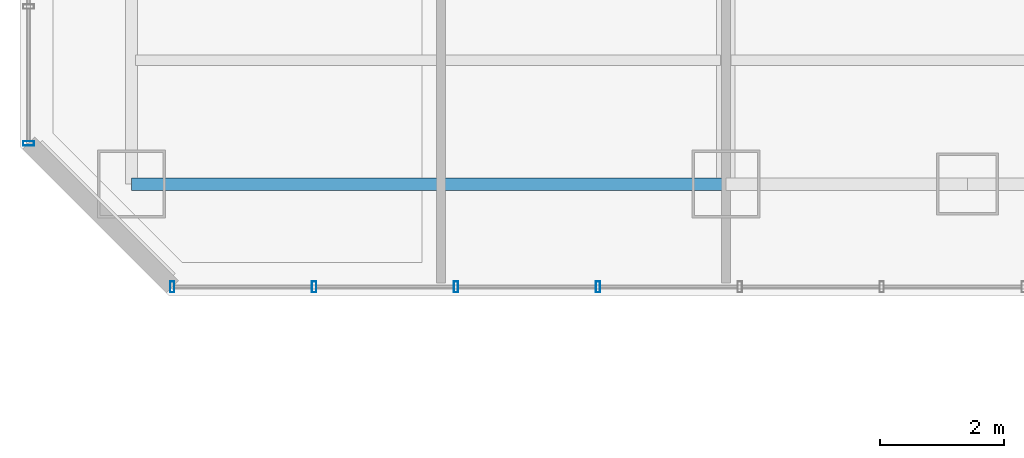
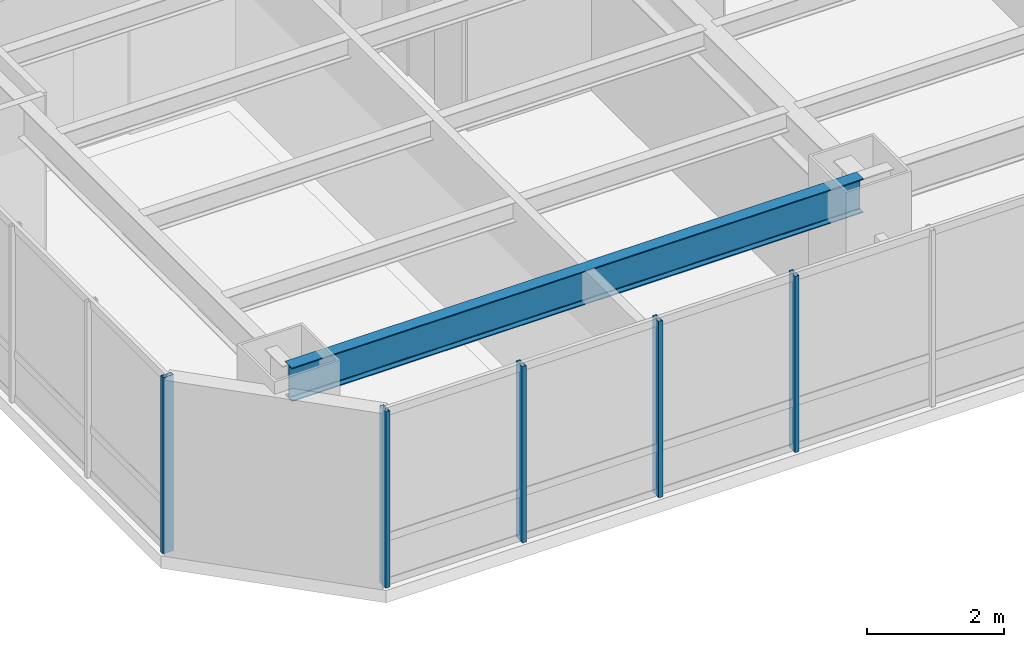
# One storey, part 2 of 38: 5 members, 1 beam, 2 elements without a shape of their own.
"""IFC4 building model written with IfcOpenShell, lengths in metres."""

from ifc_helpers import new_model, si_unit, direction, frame, origin, origin_2d, place, context, subcontext, project, spatial, hollow_rectangle, i_section, extrude, material, layer, layer_set, material_profile, profile_set, type_object, element, aggregate, save


model = new_model("IFC4")

# Units and contexts
model_context = context("Model", 3, precision=1e-05, world=origin(), true_north=direction((0.0, 1.0)))
body_context = subcontext(model_context, "Body", "Model", "MODEL_VIEW")
ifc_project = project(units=[si_unit("LENGTHUNIT", "METRE"), si_unit("AREAUNIT", "SQUARE_METRE"), si_unit("VOLUMEUNIT", "CUBIC_METRE"), si_unit("PLANEANGLEUNIT", "RADIAN"), si_unit("MASSUNIT", "GRAM", prefix="KILO")], contexts=[model_context])

# Site, building, storey
site_placement = place(None, origin())
site = spatial("IfcSite", under=ifc_project, at=site_placement, CompositionType="ELEMENT")
building_placement = place(site_placement, origin())
building = spatial("IfcBuilding", under=site, at=building_placement, Name="Hatsunagi Terrace Concourse", CompositionType="ELEMENT")
storey_placement = place(building_placement, frame((0.0, 0.0, 63.39990234375)))
storey = spatial("IfcBuildingStorey", under=building, at=storey_placement, Name="L16", CompositionType="ELEMENT", Elevation=63.39990234375)

# Curtain wall, members
ifc_material_1 = material(Name="Anodised Aluminium Alloy 6063-T5", Category="aluminium")
ifc_layer = layer(ifc_material_1, 0.199951171875)
ifc_layer_set = layer_set([ifc_layer], Name="HotelFacade_CW02")
curtain_wall_type = type_object("IfcCurtainWallType", Name="HotelFacade_CW02", PredefinedType="NOTDEFINED", material=ifc_layer_set)
curtain_wall_1_placement = place(storey_placement, origin())
curtain_wall_1 = element("IfcCurtainWall", 1, at=curtain_wall_1_placement, inside=storey, type_object=curtain_wall_type, Name="Unitised Curtain Wall CW-02 CW-L16-07", PredefinedType="NOTDEFINED")
ifc_material_2 = material(Name="Anodised Aluminium Alloy 6063-T5", Category="aluminium")
ifc_material_profile_1 = material_profile(ifc_material_2, hollow_rectangle(XDim=0.070068359375, YDim=0.179931640625, WallThickness=0.00390625, at=origin_2d()), Name="ALU-MUL-180x70x4")
ifc_profile_set_1 = profile_set([ifc_material_profile_1], Name="Anodised Aluminium Alloy 6063-T5")
member_type = type_object("IfcMemberType", Name="CurtainWallMullion_180x70", PredefinedType="MULLION", material=ifc_profile_set_1)
member_1_placement = place(storey_placement, frame((9.3330078125, 23.5400390625, 0.0), z_axis=(0.0, 0.0, 1.0), x_axis=(-1.0, 0.0, 0.0)))
member_1 = element("IfcMember", 2, at=member_1_placement, type_object=member_type, Name="Curtain Wall Mullion MUL-02", PredefinedType="MULLION", context=body_context, shape_type="SweptSolid", body=[
    extrude(hollow_rectangle(XDim=0.070068359375, YDim=0.179931640625, WallThickness=0.00390625, at=origin_2d()), origin(), (0.0, 0.0, 1.0), 3.130126953125),
])
member_2_placement = place(storey_placement, frame((7.041015625, 23.5400390625, 0.0), z_axis=(0.0, 0.0, 1.0), x_axis=(-1.0, 0.0, 0.0)))
member_2 = element("IfcMember", 3, at=member_2_placement, type_object=member_type, Name="Curtain Wall Mullion MUL-02", PredefinedType="MULLION", context=body_context, shape_type="SweptSolid", body=[
    extrude(hollow_rectangle(XDim=0.070068359375, YDim=0.179931640625, WallThickness=0.00390625, at=origin_2d()), origin(), (0.0, 0.0, 1.0), 3.130126953125),
])
member_3_placement = place(storey_placement, frame((4.75, 23.5400390625, 0.0), z_axis=(0.0, 0.0, 1.0), x_axis=(-1.0, 0.0, 0.0)))
member_3 = element("IfcMember", 4, at=member_3_placement, type_object=member_type, Name="Curtain Wall Mullion MUL-02", PredefinedType="MULLION", context=body_context, shape_type="SweptSolid", body=[
    extrude(hollow_rectangle(XDim=0.070068359375, YDim=0.179931640625, WallThickness=0.00390625, at=origin_2d()), origin(), (0.0, 0.0, 1.0), 3.130126953125),
])
member_4_placement = place(storey_placement, frame((2.4580078125, 23.5400390625, 0.0), z_axis=(0.0, 0.0, 1.0), x_axis=(-1.0, 0.0, 0.0)))
member_4 = element("IfcMember", 5, at=member_4_placement, type_object=member_type, Name="Curtain Wall Mullion MUL-02", PredefinedType="MULLION", context=body_context, shape_type="SweptSolid", body=[
    extrude(hollow_rectangle(XDim=0.070068359375, YDim=0.179931640625, WallThickness=0.00390625, at=origin_2d()), origin(), (0.0, 0.0, 1.0), 3.130126953125),
])
aggregate(curtain_wall_1, [member_1, member_2, member_3, member_4])

# Curtain wall, member
curtain_wall_2_placement = place(storey_placement, origin())
curtain_wall_2 = element("IfcCurtainWall", 6, at=curtain_wall_2_placement, inside=storey, type_object=curtain_wall_type, Name="Unitised Curtain Wall CW-02 CW-L16-09", PredefinedType="NOTDEFINED")
member_5_placement = place(storey_placement, frame((0.139892578125, 25.85791015625, 0.0), z_axis=(0.0, 0.0, 1.0), x_axis=(0.0, 1.0, 0.0)))
member_5 = element("IfcMember", 7, at=member_5_placement, type_object=member_type, Name="Curtain Wall Mullion MUL-02", PredefinedType="MULLION", context=body_context, shape_type="SweptSolid", body=[
    extrude(hollow_rectangle(XDim=0.070068359375, YDim=0.179931640625, WallThickness=0.00390625, at=origin_2d()), origin(), (0.0, 0.0, 1.0), 3.130126953125),
])
aggregate(curtain_wall_2, [member_5])

# Beam
ifc_material_3 = material(Name="Steel SN490B", Category="steel")
ifc_material_profile_2 = material_profile(ifc_material_3, i_section(OverallWidth=0.199951171875, OverallDepth=0.60009765625, WebThickness=0.010986328125, FlangeThickness=0.01708984375, FilletRadius=0.01806640625, at=origin_2d()), Name="H-600x200x11x17")
ifc_profile_set_2 = profile_set([ifc_material_profile_2], Name="Steel SN490B")
beam_type = type_object("IfcBeamType", Name="PerimeterSpandrel_H_600x200", PredefinedType="SPANDREL", material=ifc_profile_set_2)
beam_placement = place(storey_placement, frame((1.800048828125, 25.199951171875, 2.830078125), z_axis=(1.0, 0.0, 0.0), x_axis=(0.0, 1.0, 0.0)))
element("IfcBeam", 8, at=beam_placement, inside=storey, type_object=beam_type, Name="Beam SP-01 BM-L16-WS-1", PredefinedType="SPANDREL", context=body_context, shape_type="SweptSolid", body=[
    extrude(i_section(OverallWidth=0.199951171875, OverallDepth=0.60009765625, WebThickness=0.010986328125, FlangeThickness=0.01708984375, FilletRadius=0.01806640625, at=origin_2d()), origin(), (0.0, 0.0, 1.0), 9.599853515625),
])

save(model, "model.ifc")
